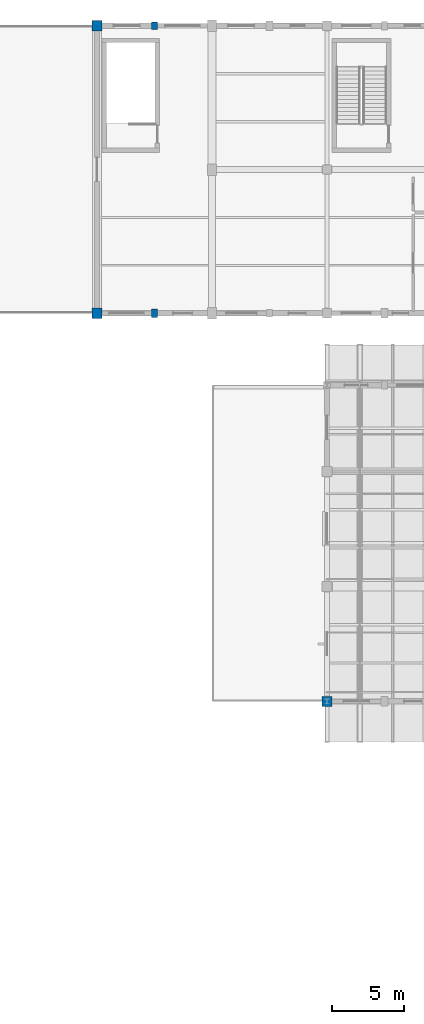
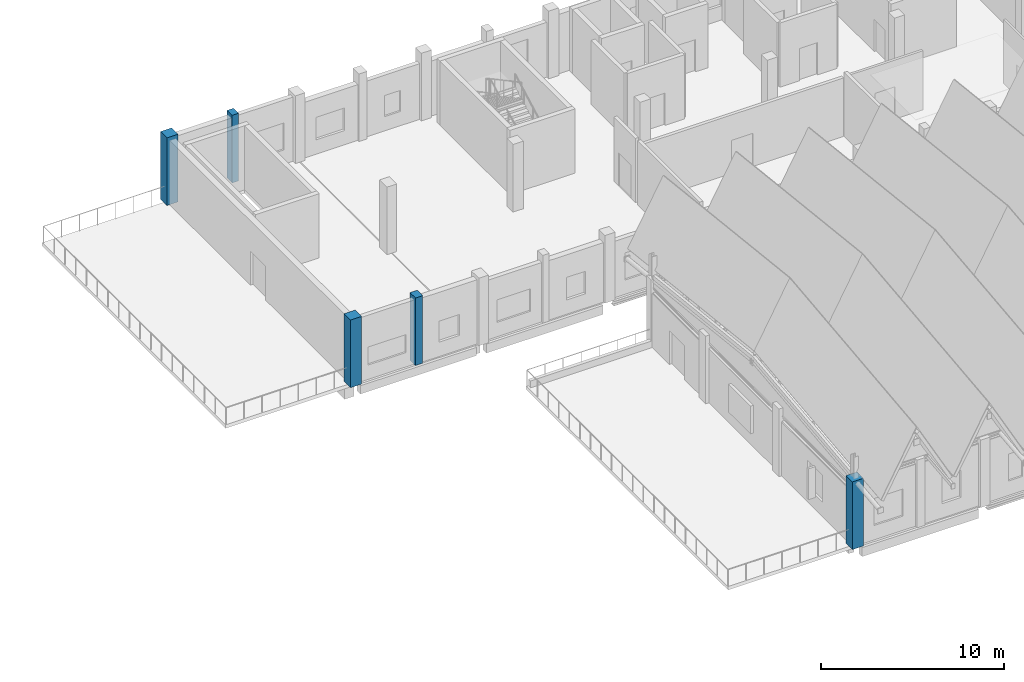
# One storey, part 3 of 48: 5 columns.
"""IFC4 building model written with IfcOpenShell, lengths in metres."""

from ifc_helpers import new_model, si_unit, direction, frame, origin, origin_2d, place, context, subcontext, project, spatial, rectangle, extrude, material, material_profile, profile_set, type_object, element, save


model = new_model("IFC4")

# Units and contexts
model_context = context("Model", 3, precision=1e-05, world=origin(), true_north=direction((0.0, 1.0)))
body_context = subcontext(model_context, "Body", "Model", "MODEL_VIEW")
ifc_project = project(units=[si_unit("LENGTHUNIT", "METRE"), si_unit("AREAUNIT", "SQUARE_METRE"), si_unit("VOLUMEUNIT", "CUBIC_METRE"), si_unit("PLANEANGLEUNIT", "RADIAN"), si_unit("MASSUNIT", "GRAM", prefix="KILO")], contexts=[model_context])

# Site, building, storey
site_placement = place(None, origin())
site = spatial("IfcSite", under=ifc_project, at=site_placement, CompositionType="ELEMENT")
building_placement = place(site_placement, origin())
building = spatial("IfcBuilding", under=site, at=building_placement, Name="Luwemba Playhouse", CompositionType="ELEMENT")
storey_placement = place(building_placement, frame((0.0, 0.0, 13.800048828125)))
storey = spatial("IfcBuildingStorey", under=building, at=storey_placement, Name="L03", CompositionType="ELEMENT", Elevation=13.800048828125)

# Columns
ifc_material = material(Name="Concrete C40/50", Category="concrete")
ifc_material_profile_1 = material_profile(ifc_material, rectangle(XDim=0.699951171875, YDim=0.699951171875, at=origin_2d()))
ifc_profile_set_1 = profile_set([ifc_material_profile_1], Name="Concrete C40/50")
column_type_1 = type_object("IfcColumnType", Name="COL-C06", PredefinedType="COLUMN", material=ifc_profile_set_1)
for number, where, z_axis, x_axis, name in (
    (1, (124.0, 95.0, 0.0), (0.0, 0.0, 1.0), (1.0, 0.0, 0.0), "L03 column 165"),
    (2, (124.0, 115.0, 0.0), (0.0, 0.0, 1.0), (1.0, 0.0, 0.0), "L03 column 167"),
    (3, (140.0, 68.0, 0.0), (0.0, 0.0, 1.0), (1.0, 0.0, 0.0), "L03 column 203"),
):
    element("IfcColumn", number, at=place(storey_placement, frame(where, z_axis=z_axis, x_axis=x_axis)), inside=storey, type_object=column_type_1, Name=name, PredefinedType="COLUMN", context=body_context, shape_type="SweptSolid", body=[
        extrude(rectangle(XDim=0.699951171875, YDim=0.699951171875, at=origin_2d()), origin(), (0.0, 0.0, 1.0), 4.5),
    ])
ifc_material_profile_2 = material_profile(ifc_material, rectangle(XDim=0.39990234375, YDim=0.550048828125, at=origin_2d()))
ifc_profile_set_2 = profile_set([ifc_material_profile_2], Name="Concrete C40/50")
column_type_2 = type_object("IfcColumnType", Name="COL-PIL1", PredefinedType="PILASTER", material=ifc_profile_set_2)
column_1_placement = place(storey_placement, frame((128.0, 115.0, 0.0), z_axis=(0.0, 0.0, 1.0), x_axis=(1.0, 0.0, 0.0)))
element("IfcColumn", 4, at=column_1_placement, inside=storey, type_object=column_type_2, Name="L03 column 171", PredefinedType="PILASTER", context=body_context, shape_type="SweptSolid", body=[
    extrude(rectangle(XDim=0.39990234375, YDim=0.550048828125, at=origin_2d()), origin(), (0.0, 0.0, 1.0), 4.5),
])
ifc_material_profile_3 = material_profile(ifc_material, rectangle(XDim=0.449951171875, YDim=0.60009765625, at=origin_2d()))
ifc_profile_set_3 = profile_set([ifc_material_profile_3], Name="Concrete C40/50")
column_type_3 = type_object("IfcColumnType", Name="COL-PIL2", PredefinedType="PILASTER", material=ifc_profile_set_3)
column_2_placement = place(storey_placement, frame((128.0, 95.0, 0.0), z_axis=(0.0, 0.0, 1.0), x_axis=(1.0, 0.0, 0.0)))
element("IfcColumn", 5, at=column_2_placement, inside=storey, type_object=column_type_3, Name="L03 column 170", PredefinedType="PILASTER", context=body_context, shape_type="SweptSolid", body=[
    extrude(rectangle(XDim=0.449951171875, YDim=0.60009765625, at=origin_2d()), origin(), (0.0, 0.0, 1.0), 4.5),
])

save(model, "model.ifc")
